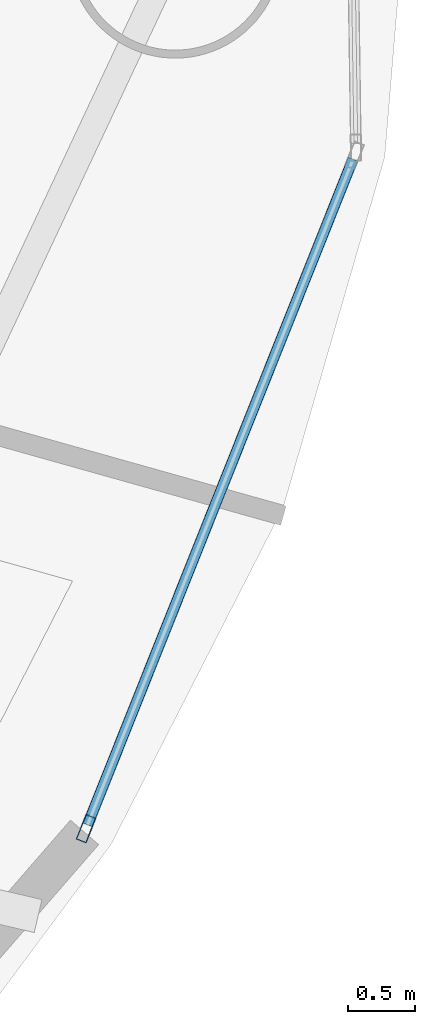
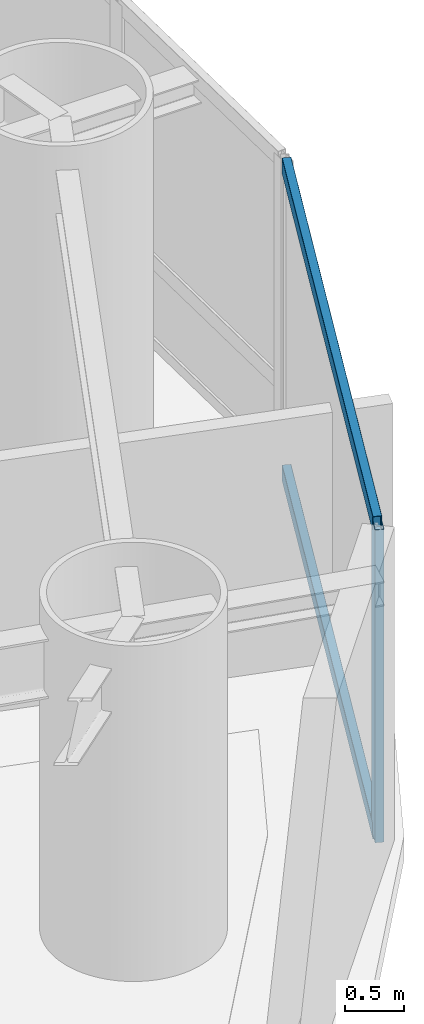
# One storey, part 8 of 26: 3 members, 1 element without a shape of its own.
"""IFC4 building model written with IfcOpenShell, lengths in metres."""

from ifc_helpers import new_model, si_unit, direction, frame, origin, origin_2d, place, context, subcontext, project, spatial, hollow_rectangle, extrude, material, layer, layer_set, material_profile, profile_set, type_object, element, aggregate, save


model = new_model("IFC4")

# Units and contexts
model_context = context("Model", 3, precision=1e-05, world=origin(), true_north=direction((0.0, 1.0)))
body_context = subcontext(model_context, "Body", "Model", "MODEL_VIEW")
ifc_project = project(units=[si_unit("LENGTHUNIT", "METRE"), si_unit("AREAUNIT", "SQUARE_METRE"), si_unit("VOLUMEUNIT", "CUBIC_METRE"), si_unit("PLANEANGLEUNIT", "RADIAN"), si_unit("MASSUNIT", "GRAM", prefix="KILO")], contexts=[model_context])

# Site, building, storey
site_placement = place(None, origin())
site = spatial("IfcSite", under=ifc_project, at=site_placement, CompositionType="ELEMENT")
building_placement = place(site_placement, origin())
building = spatial("IfcBuilding", under=site, at=building_placement, Name="Bramvorn Convention Spire", CompositionType="ELEMENT")
storey_placement = place(building_placement, frame((0.0, 0.0, 76.39990234375)))
storey = spatial("IfcBuildingStorey", under=building, at=storey_placement, Name="L17", CompositionType="ELEMENT", Elevation=76.39990234375)

# Curtain wall, members
ifc_material_1 = material(Name="Anodised Bronze Unitised Curtain Wall", Category="aluminium")
ifc_layer = layer(ifc_material_1, 0.179931640625)
ifc_layer_set = layer_set([ifc_layer], Name="Anodised Bronze Unitised Curtain Wall - CW-HTL-FRIT")
curtain_wall_type = type_object("IfcCurtainWallType", Name="CW-HTL-FRIT", PredefinedType="USERDEFINED", material=ifc_layer_set)
curtain_wall_placement = place(storey_placement, origin())
curtain_wall = element("IfcCurtainWall", 1, at=curtain_wall_placement, inside=storey, type_object=curtain_wall_type, Name="L17 fritted glass curtain wall 24", ObjectType="UNITISED CURTAIN WALL", PredefinedType="USERDEFINED")
ifc_material_2 = material(Name="Anodised Bronze Aluminium 6063-T6", Category="aluminium")
ifc_material_profile_1 = material_profile(ifc_material_2, hollow_rectangle(XDim=0.080078125, YDim=0.199951171875, WallThickness=0.00390625, InnerFilletRadius=0.0009765625, OuterFilletRadius=0.00390625, at=origin_2d()))
ifc_profile_set_1 = profile_set([ifc_material_profile_1], Name="Anodised Bronze Aluminium 6063-T6 - CWM80X200")
member_type_1 = type_object("IfcMemberType", Name="CW-MUL-180", PredefinedType="MULLION", material=ifc_profile_set_1)
member_1_placement = place(storey_placement, frame((65.851318359375, 15.4111328125, 0.0), z_axis=(0.0, 0.0, 1.0), x_axis=(0.928890101269, -0.370355477567, 0.0)))
member_1 = element("IfcMember", 2, at=member_1_placement, type_object=member_type_1, Name="CW2 mullion 2", PredefinedType="MULLION", context=body_context, shape_type="SweptSolid", body=[
    extrude(hollow_rectangle(XDim=0.080078125, YDim=0.199951171875, WallThickness=0.00390625, InnerFilletRadius=0.0009765625, OuterFilletRadius=0.00390625, at=origin_2d()), origin(), (0.0, 0.0, 1.0), 3.25),
])
ifc_material_profile_2 = material_profile(ifc_material_2, hollow_rectangle(XDim=0.080078125, YDim=0.159912109375, WallThickness=0.00390625, InnerFilletRadius=0.0009765625, OuterFilletRadius=0.00390625, at=origin_2d()))
ifc_profile_set_2 = profile_set([ifc_material_profile_2], Name="Anodised Bronze Aluminium 6063-T6 - CWT80X160")
member_type_2 = type_object("IfcMemberType", Name="CW-TRN-150", PredefinedType="USERDEFINED", material=ifc_profile_set_2)
member_2_placement = place(storey_placement, frame((67.853759765625, 20.43408203125, 0.030029296875), z_axis=(-0.37033369485, -0.928898785906, 0.0), x_axis=(0.928898785906, -0.37033369485, 0.0)))
member_2 = element("IfcMember", 3, at=member_2_placement, type_object=member_type_2, Name="CW2 transom 1.1", ObjectType="TRANSOM", PredefinedType="USERDEFINED", context=body_context, shape_type="SweptSolid", body=[
    extrude(hollow_rectangle(XDim=0.080078125, YDim=0.159912109375, WallThickness=0.00390625, InnerFilletRadius=0.0009765625, OuterFilletRadius=0.00390625, at=origin_2d()), origin(), (0.0, 0.0, 1.0), 5.37744140625),
])
member_3_placement = place(storey_placement, frame((67.853759765625, 20.43408203125, 3.22021484375), z_axis=(-0.37033369485, -0.928898785906, 0.0), x_axis=(0.928898785906, -0.37033369485, 0.0)))
member_3 = element("IfcMember", 4, at=member_3_placement, type_object=member_type_2, Name="CW2 transom 1.2", ObjectType="TRANSOM", PredefinedType="USERDEFINED", context=body_context, shape_type="SweptSolid", body=[
    extrude(hollow_rectangle(XDim=0.080078125, YDim=0.159912109375, WallThickness=0.00390625, InnerFilletRadius=0.0009765625, OuterFilletRadius=0.00390625, at=origin_2d()), origin(), (0.0, 0.0, 1.0), 5.37744140625),
])
aggregate(curtain_wall, [member_1, member_2, member_3])

save(model, "model.ifc")
